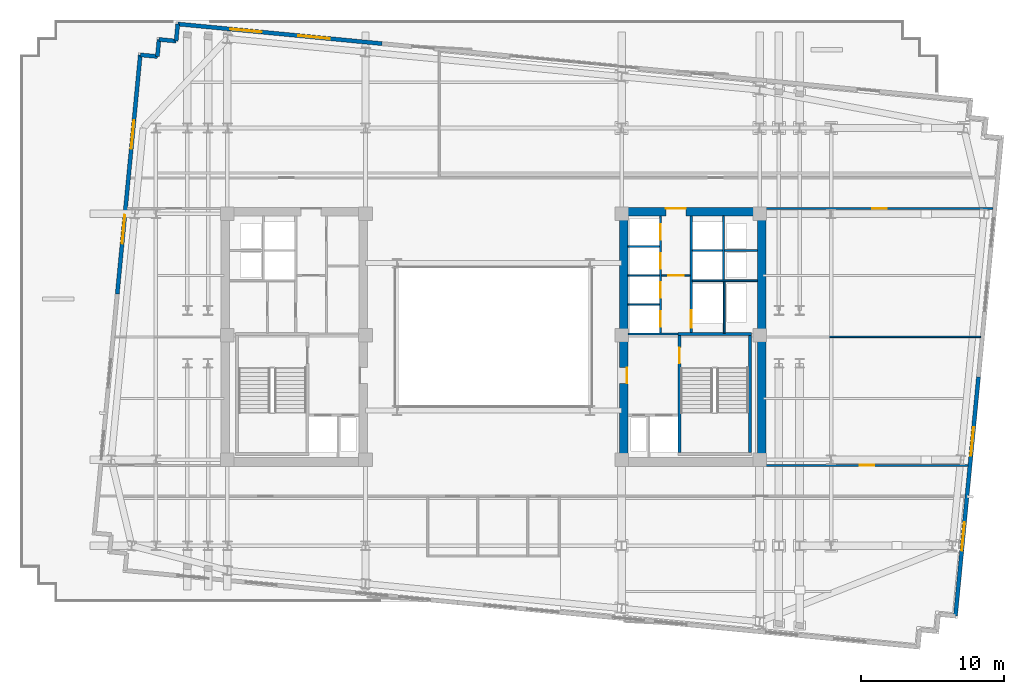
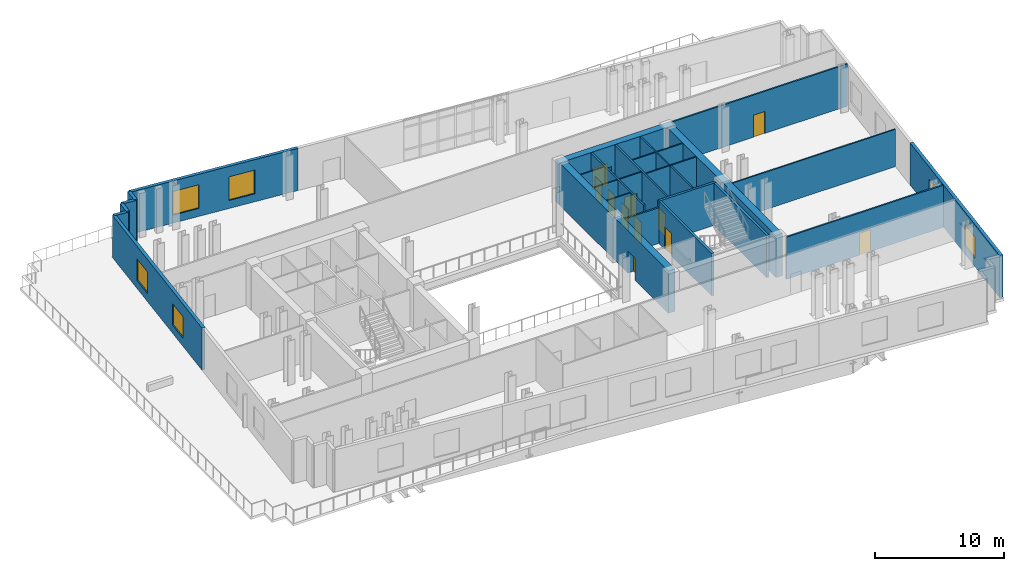
# One storey, part 7 of 11: 28 walls, 11 doors, 6 windows, 17 openings.
"""IFC4 building model written with IfcOpenShell, lengths in metres."""

from ifc_helpers import new_model, si_unit, direction, frame, frame_2d, origin, place, context, subcontext, project, spatial, rectangle, extrude, material, layer, layer_set, type_object, element, fill, save


model = new_model("IFC4")

# Units and contexts
model_context = context("Model", 3, precision=1e-05, world=origin(), true_north=direction((0.0, 1.0)))
body_context = subcontext(model_context, "Body", "Model", "MODEL_VIEW")
ifc_project = project(units=[si_unit("LENGTHUNIT", "METRE"), si_unit("AREAUNIT", "SQUARE_METRE"), si_unit("VOLUMEUNIT", "CUBIC_METRE"), si_unit("PLANEANGLEUNIT", "RADIAN"), si_unit("MASSUNIT", "GRAM", prefix="KILO")], contexts=[model_context])

# Site, building, storey
site_placement = place(None, origin())
site = spatial("IfcSite", under=ifc_project, at=site_placement, CompositionType="ELEMENT")
building_placement = place(site_placement, origin())
building = spatial("IfcBuilding", under=site, at=building_placement, Name="Velakula Bourse", CompositionType="ELEMENT")
storey_placement = place(building_placement, frame((0.0, 0.0, 156.199951171875)))
storey = spatial("IfcBuildingStorey", under=building, at=storey_placement, Name="L42", CompositionType="ELEMENT", Elevation=156.199951171875)

# Wall, opening, door
ifc_material_1 = material(Name="Concrete M50 (fck 50 MPa)", Category="concrete")
ifc_layer_1 = layer(ifc_material_1, 0.2099609375, Name="Concrete M50 (fck 50 MPa)", Category="concrete")
ifc_layer_set_1 = layer_set([ifc_layer_1], Name="Concrete M50 (fck 50 MPa)")
wall_type_1 = type_object("IfcWallType", Name="WL-CORE-210", PredefinedType="SHEAR", material=ifc_layer_set_1)
wall_1_placement = place(storey_placement, frame((12.9951171875, -8.10009765625, 0.0), z_axis=(0.0, 0.0, 1.0), x_axis=(0.0, 1.0, 0.0)))
wall_1 = element("IfcWall", 1, at=wall_1_placement, inside=storey, type_object=wall_type_1, Name="L42 Core E Stairwell Shear Wall IN", PredefinedType="SHEAR", context=body_context, shape_type="SweptSolid", body=[
    extrude(rectangle(XDim=8.2001953125, YDim=0.2099609375, at=frame_2d((4.10009765625, 0.0))), origin(), (0.0, 0.0, 1.0), 4.02001953125),
])
opening_1_placement = place(wall_1_placement, frame((6.25, 0.0, 0.0)))
opening_1 = element("IfcOpeningElement", 2, at=opening_1_placement, cuts=wall_1, Name="Opening D-STE1", PredefinedType="OPENING", context=body_context, shape_type="SweptSolid", body=[
    extrude(rectangle(XDim=1.10009765625, YDim=2.14990234375, at=frame_2d((0.550048828125, 1.074951171875))), frame((0.0, 0.114990234375, 0.0), z_axis=(0.0, -1.0, 0.0), x_axis=(1.0, 0.0, 0.0)), (0.0, 0.0, 1.0), 0.22998046875),
])
ifc_material_2 = material(Name="Galvanised painted hollow steel fire door", Category="steel")
door_type_1 = type_object("IfcDoorType", Name="DR-FD120-1100x2150", OperationType="NOTDEFINED", PredefinedType="DOOR", material=ifc_material_2)
door_1_placement = place(opening_1_placement, origin())
door_1 = element("IfcDoor", 3, at=door_1_placement, inside=storey, type_object=door_type_1, Name="L42 Stair ST-E1 Fire Door", OperationType="SINGLE_SWING_RIGHT", OverallHeight=2.14990234375, OverallWidth=1.10009765625, PredefinedType="DOOR", context=body_context, shape_type="SweptSolid", body=[
    extrude(rectangle(XDim=1.10009765625, YDim=2.14990234375, at=frame_2d((0.550048828125, 1.074951171875))), frame((0.0, 0.02490234375, 0.0), z_axis=(0.0, -1.0, 0.0), x_axis=(1.0, 0.0, 0.0)), (0.0, 0.0, 1.0), 0.050048828125),
])
fill(opening_1, door_1)

# Walls
wall_2_placement = place(storey_placement, frame((17.925048828125, -8.10009765625, 0.0), z_axis=(0.0, 0.0, 1.0), x_axis=(0.0, 1.0, 0.0)))
element("IfcWall", 4, at=wall_2_placement, inside=storey, type_object=wall_type_1, Name="L42 Core E Stairwell Shear Wall OUT", PredefinedType="SHEAR", context=body_context, shape_type="SweptSolid", body=[
    extrude(rectangle(XDim=8.2001953125, YDim=0.2099609375, at=frame_2d((4.10009765625, 0.0))), origin(), (0.0, 0.0, 1.0), 4.02001953125),
])
wall_3_placement = place(storey_placement, frame((18.030029296875, 0.205078125, 0.0), z_axis=(0.0, 0.0, 1.0), x_axis=(-1.0, 0.0, 0.0)))
element("IfcWall", 5, at=wall_3_placement, inside=storey, type_object=wall_type_1, Name="L42 Core E Stairwell Shear Wall N", PredefinedType="SHEAR", context=body_context, shape_type="SweptSolid", body=[
    extrude(rectangle(XDim=5.14013671875, YDim=0.2099609375, at=frame_2d((2.570068359375, 0.0))), origin(), (0.0, 0.0, 1.0), 4.02001953125),
])

# Wall, opening, door
ifc_material_3 = material(Name="Concrete M70 (fck 70 MPa)", Category="concrete")
ifc_layer_2 = layer(ifc_material_3, 0.60009765625, Name="Concrete M70 (fck 70 MPa)", Category="concrete")
ifc_layer_set_2 = layer_set([ifc_layer_2], Name="Concrete M70 (fck 70 MPa)")
wall_type_2 = type_object("IfcWallType", Name="WL-CORE-600", PredefinedType="SHEAR", material=ifc_layer_set_2)
wall_4_placement = place(storey_placement, frame((8.800048828125, 8.75, 0.0), z_axis=(0.0, 0.0, 1.0), x_axis=(1.0, 0.0, 0.0)))
wall_4 = element("IfcWall", 6, at=wall_4_placement, inside=storey, type_object=wall_type_2, Name="L42 Core E Shear Wall N", PredefinedType="SHEAR", context=body_context, shape_type="SweptSolid", body=[
    extrude(rectangle(XDim=10.25, YDim=0.60009765625, at=frame_2d((5.125, 0.0))), origin(), (0.0, 0.0, 1.0), 4.02001953125),
])
opening_2_placement = place(wall_4_placement, frame((3.25, 0.0, 0.0)))
opening_2 = element("IfcOpeningElement", 7, at=opening_2_placement, cuts=wall_4, Name="Opening D-LLE", PredefinedType="OPENING", context=body_context, shape_type="SweptSolid", body=[
    extrude(rectangle(XDim=1.39990234375, YDim=2.050048828125, at=frame_2d((0.699951171875, 1.02490234375))), frame((0.0, 0.31005859375, 0.0), z_axis=(0.0, -1.0, 0.0), x_axis=(1.0, 0.0, 0.0)), (0.0, 0.0, 1.0), 0.6201171875),
])
ifc_material_4 = material(Name="Fire-rated hardwood flush architectural door", Category="wood")
door_type_2 = type_object("IfcDoorType", Name="DR-DBL-FD60-1400", OperationType="DOUBLE_DOOR_SINGLE_SWING", PredefinedType="DOOR", material=ifc_material_4)
door_2_placement = place(opening_2_placement, origin())
door_2 = element("IfcDoor", 8, at=door_2_placement, inside=storey, type_object=door_type_2, Name="L42 Core E Lift Lobby Corridor Double Door", OperationType="DOUBLE_DOOR_SINGLE_SWING", OverallHeight=2.050048828125, OverallWidth=1.39990234375, PredefinedType="DOOR", context=body_context, shape_type="SweptSolid", body=[
    extrude(rectangle(XDim=1.39990234375, YDim=2.050048828125, at=frame_2d((0.699951171875, 1.02490234375))), frame((0.0, 0.2451171875, 0.0), z_axis=(0.0, -1.0, 0.0), x_axis=(1.0, 0.0, 0.0)), (0.0, 0.0, 1.0), 0.050048828125),
])
fill(opening_2, door_2)

wall_5_placement = place(storey_placement, frame((9.10009765625, -8.449951171875, 0.0), z_axis=(0.0, 0.0, 1.0), x_axis=(0.0, 1.0, 0.0)))
wall_5 = element("IfcWall", 9, at=wall_5_placement, inside=storey, type_object=wall_type_2, Name="L42 Core E Shear Wall W", PredefinedType="SHEAR", context=body_context, shape_type="SweptSolid", body=[
    extrude(rectangle(XDim=16.89990234375, YDim=0.60009765625, at=frame_2d((8.449951171875, 0.0))), origin(), (0.0, 0.0, 1.0), 4.02001953125),
])
opening_3_placement = place(wall_5_placement, frame((5.199951171875, 0.0, 0.0)))
opening_3 = element("IfcOpeningElement", 10, at=opening_3_placement, cuts=wall_5, Name="Opening D-FLE", PredefinedType="OPENING", context=body_context, shape_type="SweptSolid", body=[
    extrude(rectangle(XDim=1.10009765625, YDim=2.080078125, at=frame_2d((0.550048828125, 1.0400390625))), frame((0.0, 0.31005859375, 0.0), z_axis=(0.0, -1.0, 0.0), x_axis=(1.0, 0.0, 0.0)), (0.0, 0.0, 1.0), 0.6201171875),
])
door_type_3 = type_object("IfcDoorType", Name="DR-FD120-1100", OperationType="NOTDEFINED", PredefinedType="DOOR", material=ifc_material_2)
door_3_placement = place(opening_3_placement, origin())
door_3 = element("IfcDoor", 11, at=door_3_placement, inside=storey, type_object=door_type_3, Name="L42 Firefighting Lobby E Corridor Fire Door", OperationType="SINGLE_SWING_RIGHT", OverallHeight=2.080078125, OverallWidth=1.10009765625, PredefinedType="DOOR", context=body_context, shape_type="SweptSolid", body=[
    extrude(rectangle(XDim=1.10009765625, YDim=2.080078125, at=frame_2d((0.550048828125, 1.0400390625))), frame((0.0, -0.205078125, 0.0), z_axis=(0.0, -1.0, 0.0), x_axis=(1.0, 0.0, 0.0)), (0.0, 0.0, 1.0), 0.050048828125),
])
fill(opening_3, door_3)

# Wall
wall_6_placement = place(storey_placement, frame((18.75, -8.449951171875, 0.0), z_axis=(0.0, 0.0, 1.0), x_axis=(0.0, 1.0, 0.0)))
element("IfcWall", 12, at=wall_6_placement, inside=storey, type_object=wall_type_2, Name="L42 Core E Shear Wall E", PredefinedType="SHEAR", context=body_context, shape_type="SweptSolid", body=[
    extrude(rectangle(XDim=16.89990234375, YDim=0.60009765625, at=frame_2d((8.449951171875, 0.0))), origin(), (0.0, 0.0, 1.0), 4.02001953125),
])

# Wall, openings, windows
ifc_material_5 = material(Name="Red kilned clay facing brick masonry", Category="masonry")
ifc_layer_3 = layer(ifc_material_5, 0.280029296875, Name="Red kilned clay facing brick masonry", Category="masonry")
ifc_layer_set_3 = layer_set([ifc_layer_3], Name="Red kilned clay facing brick masonry")
wall_type_3 = type_object("IfcWallType", Name="WL-EXT-BRK-280", PredefinedType="STANDARD", material=ifc_layer_set_3)
wall_7_placement = place(storey_placement, frame((-22.072509765625, 21.8701171875, 0.0), z_axis=(0.0, 0.0, 1.0), x_axis=(0.995395606285, -0.095851901334, 0.0)))
wall_7 = element("IfcWall", 13, at=wall_7_placement, inside=storey, type_object=wall_type_3, Name="L42 N Brick Spandrel Wall B1", PredefinedType="STANDARD", context=body_context, shape_type="SweptSolid", body=[
    extrude(rectangle(XDim=14.33984375, YDim=0.280029296875, at=frame_2d((7.169921875, 0.0))), origin(), (0.0, 0.0, 1.0), 4.0),
])
opening_4_placement = place(wall_7_placement, frame((3.679931640625, 0.0, 0.760009765625)))
opening_4 = element("IfcOpeningElement", 14, at=opening_4_placement, cuts=wall_7, Name="Opening W-08", PredefinedType="OPENING", context=body_context, shape_type="SweptSolid", body=[
    extrude(rectangle(XDim=2.199951171875, YDim=2.25, at=frame_2d((1.10009765625, 1.125))), frame((0.0, 0.14990234375, 0.0), z_axis=(0.0, -1.0, 0.0), x_axis=(1.0, 0.0, 0.0)), (0.0, 0.0, 1.0), 0.300048828125),
])
opening_5_placement = place(wall_7_placement, frame((8.4599609375, 0.0, 0.760009765625)))
opening_5 = element("IfcOpeningElement", 15, at=opening_5_placement, cuts=wall_7, Name="Opening W-08", PredefinedType="OPENING", context=body_context, shape_type="SweptSolid", body=[
    extrude(rectangle(XDim=2.199951171875, YDim=2.25, at=frame_2d((1.10009765625, 1.125))), frame((0.0, 0.14990234375, 0.0), z_axis=(0.0, -1.0, 0.0), x_axis=(1.0, 0.0, 0.0)), (0.0, 0.0, 1.0), 0.300048828125),
])
ifc_material_6 = material(Name="Double-glazed solar-control Low-E glass", Category="glass")
window_type_1 = type_object("IfcWindowType", Name="WIN-SL-2200x2500", PartitioningType="DOUBLE_PANEL_VERTICAL", PredefinedType="WINDOW", material=ifc_material_6)
window_1_placement = place(opening_4_placement, origin())
window_1 = element("IfcWindow", 16, at=window_1_placement, inside=storey, type_object=window_type_1, Name="L42 Deep-Set Recessed Window 1", OverallHeight=2.25, OverallWidth=2.199951171875, PartitioningType="DOUBLE_PANEL_VERTICAL", PredefinedType="WINDOW", context=body_context, shape_type="SweptSolid", body=[
    extrude(rectangle(XDim=2.199951171875, YDim=2.25, at=frame_2d((1.10009765625, 1.125))), frame((0.0, 0.030029296875, 0.0), z_axis=(0.0, -1.0, 0.0), x_axis=(1.0, 0.0, 0.0)), (0.0, 0.0, 1.0), 0.06005859375),
])
fill(opening_4, window_1)
window_2_placement = place(opening_5_placement, origin())
window_2 = element("IfcWindow", 17, at=window_2_placement, inside=storey, type_object=window_type_1, Name="L42 Deep-Set Recessed Window 2", OverallHeight=2.25, OverallWidth=2.199951171875, PartitioningType="DOUBLE_PANEL_VERTICAL", PredefinedType="WINDOW", context=body_context, shape_type="SweptSolid", body=[
    extrude(rectangle(XDim=2.199951171875, YDim=2.25, at=frame_2d((1.10009765625, 1.125))), frame((0.0, 0.030029296875, 0.0), z_axis=(0.0, -1.0, 0.0), x_axis=(1.0, 0.0, 0.0)), (0.0, 0.0, 1.0), 0.06005859375),
])
fill(opening_5, window_2)

wall_8_placement = place(storey_placement, frame((-26.30078125, 2.998291015625, 0.0), z_axis=(0.0, 0.0, 1.0), x_axis=(0.095837640115, 0.99539697947, 0.0)))
wall_8 = element("IfcWall", 18, at=wall_8_placement, inside=storey, type_object=wall_type_3, Name="L42 W Brick End Wall W2", PredefinedType="STANDARD", context=body_context, shape_type="SweptSolid", body=[
    extrude(rectangle(XDim=16.790283203125, YDim=0.280029296875, at=frame_2d((8.39501953125, 0.0))), origin(), (0.0, 0.0, 1.0), 4.0),
])
opening_6_placement = place(wall_8_placement, frame((3.546630859375, 0.0, 0.760009765625)))
opening_6 = element("IfcOpeningElement", 19, at=opening_6_placement, cuts=wall_8, Name="Opening W-05", PredefinedType="OPENING", context=body_context, shape_type="SweptSolid", body=[
    extrude(rectangle(XDim=2.0, YDim=2.050048828125, at=frame_2d((1.0, 1.02490234375))), frame((0.0, 0.14990234375, 0.0), z_axis=(0.0, -1.0, 0.0), x_axis=(1.0, 0.0, 0.0)), (0.0, 0.0, 1.0), 0.300048828125),
])
opening_7_placement = place(wall_8_placement, frame((10.193359375, 0.0, 0.760009765625)))
opening_7 = element("IfcOpeningElement", 20, at=opening_7_placement, cuts=wall_8, Name="Opening W-05", PredefinedType="OPENING", context=body_context, shape_type="SweptSolid", body=[
    extrude(rectangle(XDim=2.0, YDim=2.050048828125, at=frame_2d((1.0, 1.02490234375))), frame((0.0, 0.14990234375, 0.0), z_axis=(0.0, -1.0, 0.0), x_axis=(1.0, 0.0, 0.0)), (0.0, 0.0, 1.0), 0.300048828125),
])
window_type_2 = type_object("IfcWindowType", Name="WIN-TWR-2000x2200", PartitioningType="DOUBLE_PANEL_VERTICAL", PredefinedType="WINDOW", material=ifc_material_6)
window_3_placement = place(opening_6_placement, origin())
window_3 = element("IfcWindow", 21, at=window_3_placement, inside=storey, type_object=window_type_2, Name="L42 Deep-Set Recessed Window 1", OverallHeight=2.050048828125, OverallWidth=2.0, PartitioningType="DOUBLE_PANEL_VERTICAL", PredefinedType="WINDOW", context=body_context, shape_type="SweptSolid", body=[
    extrude(rectangle(XDim=2.0, YDim=2.050048828125, at=frame_2d((1.0, 1.02490234375))), frame((0.0, 0.030029296875, 0.0), z_axis=(0.0, -1.0, 0.0), x_axis=(1.0, 0.0, 0.0)), (0.0, 0.0, 1.0), 0.06005859375),
])
fill(opening_6, window_3)
window_4_placement = place(opening_7_placement, origin())
window_4 = element("IfcWindow", 22, at=window_4_placement, inside=storey, type_object=window_type_2, Name="L42 Deep-Set Recessed Window 2", OverallHeight=2.050048828125, OverallWidth=2.0, PartitioningType="DOUBLE_PANEL_VERTICAL", PredefinedType="WINDOW", context=body_context, shape_type="SweptSolid", body=[
    extrude(rectangle(XDim=2.0, YDim=2.050048828125, at=frame_2d((1.0, 1.02490234375))), frame((0.0, 0.030029296875, 0.0), z_axis=(0.0, -1.0, 0.0), x_axis=(1.0, 0.0, 0.0)), (0.0, 0.0, 1.0), 0.06005859375),
])
fill(opening_7, window_4)

wall_9_placement = place(storey_placement, frame((33.90087890625, -2.79833984375, 0.0), z_axis=(0.0, 0.0, 1.0), x_axis=(-0.095853434568, -0.99539545864, 0.0)))
wall_9 = element("IfcWall", 23, at=wall_9_placement, inside=storey, type_object=wall_type_3, Name="L42 E Brick End Wall W1", PredefinedType="STANDARD", context=body_context, shape_type="SweptSolid", body=[
    extrude(rectangle(XDim=16.7900390625, YDim=0.280029296875, at=frame_2d((8.39501953125, 0.0))), origin(), (0.0, 0.0, 1.0), 4.0),
])
opening_8_placement = place(wall_9_placement, frame((3.546630859375, 0.0, 0.760009765625)))
opening_8 = element("IfcOpeningElement", 24, at=opening_8_placement, cuts=wall_9, Name="Opening W-05", PredefinedType="OPENING", context=body_context, shape_type="SweptSolid", body=[
    extrude(rectangle(XDim=2.0, YDim=2.050048828125, at=frame_2d((1.0, 1.02490234375))), frame((0.0, 0.14990234375, 0.0), z_axis=(0.0, -1.0, 0.0), x_axis=(1.0, 0.0, 0.0)), (0.0, 0.0, 1.0), 0.300048828125),
])
opening_9_placement = place(wall_9_placement, frame((10.193359375, 0.0, 0.760009765625)))
opening_9 = element("IfcOpeningElement", 25, at=opening_9_placement, cuts=wall_9, Name="Opening W-05", PredefinedType="OPENING", context=body_context, shape_type="SweptSolid", body=[
    extrude(rectangle(XDim=2.0, YDim=2.050048828125, at=frame_2d((1.0, 1.02490234375))), frame((0.0, 0.14990234375, 0.0), z_axis=(0.0, -1.0, 0.0), x_axis=(1.0, 0.0, 0.0)), (0.0, 0.0, 1.0), 0.300048828125),
])
window_5_placement = place(opening_8_placement, origin())
window_5 = element("IfcWindow", 26, at=window_5_placement, inside=storey, type_object=window_type_2, Name="L42 Deep-Set Recessed Window 1", OverallHeight=2.050048828125, OverallWidth=2.0, PartitioningType="DOUBLE_PANEL_VERTICAL", PredefinedType="WINDOW", context=body_context, shape_type="SweptSolid", body=[
    extrude(rectangle(XDim=2.0, YDim=2.050048828125, at=frame_2d((1.0, 1.02490234375))), frame((0.0, 0.030029296875, 0.0), z_axis=(0.0, -1.0, 0.0), x_axis=(1.0, 0.0, 0.0)), (0.0, 0.0, 1.0), 0.06005859375),
])
fill(opening_8, window_5)
window_6_placement = place(opening_9_placement, origin())
window_6 = element("IfcWindow", 27, at=window_6_placement, inside=storey, type_object=window_type_2, Name="L42 Deep-Set Recessed Window 2", OverallHeight=2.050048828125, OverallWidth=2.0, PartitioningType="DOUBLE_PANEL_VERTICAL", PredefinedType="WINDOW", context=body_context, shape_type="SweptSolid", body=[
    extrude(rectangle(XDim=2.0, YDim=2.050048828125, at=frame_2d((1.0, 1.02490234375))), frame((0.0, 0.030029296875, 0.0), z_axis=(0.0, -1.0, 0.0), x_axis=(1.0, 0.0, 0.0)), (0.0, 0.0, 1.0), 0.06005859375),
])
fill(opening_9, window_6)

# Walls
for number, where, z_axis, x_axis, name in (
    (28, (-22.072509765625, 21.8701171875, 0.0), (0.0, 0.0, 1.0), (-0.095817067274, -0.995398960025, 0.0), "L42 Serrated Corner Brick Wall NW-1"),
    (29, (-22.1875, 20.675537109375, 0.0), (0.0, 0.0, 1.0), (-0.995398960025, 0.095817067274, 0.0), "L42 Serrated Corner Brick Wall NW-2"),
    (30, (-23.382080078125, 20.79052734375, 0.0), (0.0, 0.0, 1.0), (-0.095817067274, -0.995398960025, 0.0), "L42 Serrated Corner Brick Wall NW-3"),
    (31, (-23.4970703125, 19.595947265625, 0.0), (0.0, 0.0, 1.0), (-0.995379537303, 0.096018626938, 0.0), "L42 Serrated Corner Brick Wall NW-4"),
):
    element("IfcWall", number, at=place(storey_placement, frame(where, z_axis=z_axis, x_axis=x_axis)), inside=storey, type_object=wall_type_3, Name=name, PredefinedType="STANDARD", context=body_context, shape_type="SweptSolid", body=[
        extrude(rectangle(XDim=1.2001953125, YDim=0.280029296875, at=frame_2d((0.60009765625, 0.0))), origin(), (0.0, 0.0, 1.0), 4.0),
    ])

# Wall, opening, door
ifc_material_7 = material(Name="Fire-rated double-layer gypsum drywall partition", Category="gypsum")
ifc_layer_4 = layer(ifc_material_7, 0.1201171875, Name="Fire-rated double-layer gypsum drywall partition", Category="gypsum")
ifc_layer_set_4 = layer_set([ifc_layer_4], Name="Fire-rated double-layer gypsum drywall partition")
wall_type_4 = type_object("IfcWallType", Name="WL-PART-120", PredefinedType="STANDARD", material=ifc_layer_set_4)
wall_10_placement = place(storey_placement, frame((11.75, 4.280029296875, 0.0), z_axis=(0.0, 0.0, 1.0), x_axis=(1.0, 0.0, 0.0)))
wall_10 = element("IfcWall", 32, at=wall_10_placement, inside=storey, type_object=wall_type_4, Name="L42 Interior Partition WL-CRE-L42-LL-K2", PredefinedType="STANDARD", context=body_context, shape_type="SweptSolid", body=[
    extrude(rectangle(XDim=2.0, YDim=0.1201171875, at=frame_2d((1.0, 0.0))), origin(), (0.0, 0.0, 1.0), 4.0),
])
opening_10_placement = place(wall_10_placement, frame((0.449951171875, 0.0, 0.0)))
opening_10 = element("IfcOpeningElement", 33, at=opening_10_placement, cuts=wall_10, Name="Opening D-LK2", PredefinedType="OPENING", context=body_context, shape_type="SweptSolid", body=[
    extrude(rectangle(XDim=1.10009765625, YDim=2.10009765625, at=frame_2d((0.550048828125, 1.050048828125))), frame((0.0, 0.070068359375, 0.0), z_axis=(0.0, -1.0, 0.0), x_axis=(1.0, 0.0, 0.0)), (0.0, 0.0, 1.0), 0.14013671875),
])
door_type_4 = type_object("IfcDoorType", Name="DR-FD60-1100x2100", OperationType="NOTDEFINED", PredefinedType="DOOR", material=ifc_material_4)
door_4_placement = place(opening_10_placement, origin())
door_4 = element("IfcDoor", 34, at=door_4_placement, inside=storey, type_object=door_type_4, Name="L42 Core E Lift Lobby Zone Door", OperationType="SINGLE_SWING_LEFT", OverallHeight=2.10009765625, OverallWidth=1.10009765625, PredefinedType="DOOR", context=body_context, shape_type="SweptSolid", body=[
    extrude(rectangle(XDim=1.10009765625, YDim=2.10009765625, at=frame_2d((0.550048828125, 1.050048828125))), frame((0.0, 0.02490234375, 0.0), z_axis=(0.0, -1.0, 0.0), x_axis=(1.0, 0.0, 0.0)), (0.0, 0.0, 1.0), 0.050048828125),
])
fill(opening_10, door_4)

# Walls
for number, where, z_axis, x_axis, name in (
    (35, (9.39990234375, 2.2548828125, 0.0), (0.0, 0.0, 1.0), (1.0, 0.0, 0.0), "L42 Interior Partition WL-CRE-L42-BDIV-0"),
    (36, (9.39990234375, 4.284912109375, 0.0), (0.0, 0.0, 1.0), (1.0, 0.0, 0.0), "L42 Interior Partition WL-CRE-L42-BDIV-1"),
    (37, (9.39990234375, 6.31494140625, 0.0), (0.0, 0.0, 1.0), (1.0, 0.0, 0.0), "L42 Interior Partition WL-CRE-L42-BDIV-2"),
):
    element("IfcWall", number, at=place(storey_placement, frame(where, z_axis=z_axis, x_axis=x_axis)), inside=storey, type_object=wall_type_4, Name=name, PredefinedType="STANDARD", context=body_context, shape_type="SweptSolid", body=[
        extrude(rectangle(XDim=2.2001953125, YDim=0.110107421875, at=frame_2d((1.10009765625, 0.0))), origin(), (0.0, 0.0, 1.0), 4.0),
    ])
wall_11_placement = place(storey_placement, frame((13.89990234375, 3.919921875, 0.0), z_axis=(0.0, 0.0, 1.0), x_axis=(1.0, 0.0, 0.0)))
element("IfcWall", 38, at=wall_11_placement, inside=storey, type_object=wall_type_4, Name="L42 Interior Partition WL-CRE-L42-HI-S", PredefinedType="STANDARD", context=body_context, shape_type="SweptSolid", body=[
    extrude(rectangle(XDim=4.550048828125, YDim=0.1201171875, at=frame_2d((2.27490234375, 0.0))), origin(), (0.0, 0.0, 1.0), 4.0),
])
wall_12_placement = place(storey_placement, frame((16.14990234375, 6.030029296875, 0.0), z_axis=(0.0, 0.0, 1.0), x_axis=(1.0, 0.0, 0.0)))
element("IfcWall", 39, at=wall_12_placement, inside=storey, type_object=wall_type_4, Name="L42 Interior Partition WL-CRE-L42-RIS-MID", PredefinedType="STANDARD", context=body_context, shape_type="SweptSolid", body=[
    extrude(rectangle(XDim=2.300048828125, YDim=0.1201171875, at=frame_2d((1.14990234375, 0.0))), origin(), (0.0, 0.0, 1.0), 4.0),
])
wall_13_placement = place(storey_placement, frame((16.074951171875, 3.97998046875, 0.0), z_axis=(0.0, 0.0, 1.0), x_axis=(0.0, 1.0, 0.0)))
element("IfcWall", 40, at=wall_13_placement, inside=storey, type_object=wall_type_4, Name="L42 Interior Partition WL-CRE-L42-RIS-F", PredefinedType="STANDARD", context=body_context, shape_type="SweptSolid", body=[
    extrude(rectangle(XDim=4.469970703125, YDim=0.1201171875, at=frame_2d((2.23486328125, 0.0))), origin(), (0.0, 0.0, 1.0), 4.0),
])
wall_14_placement = place(storey_placement, frame((13.89990234375, 6.030029296875, 0.0), z_axis=(0.0, 0.0, 1.0), x_axis=(1.0, 0.0, 0.0)))
element("IfcWall", 41, at=wall_14_placement, inside=storey, type_object=wall_type_4, Name="L42 Interior Partition WL-CRE-L42-HI-DIV", PredefinedType="STANDARD", context=body_context, shape_type="SweptSolid", body=[
    extrude(rectangle(XDim=2.10009765625, YDim=0.1201171875, at=frame_2d((1.050048828125, 0.0))), origin(), (0.0, 0.0, 1.0), 4.0),
])
wall_15_placement = place(storey_placement, frame((16.125, 0.27001953125, 0.0), z_axis=(0.0, 0.0, 1.0), x_axis=(0.0, 1.0, 0.0)))
element("IfcWall", 42, at=wall_15_placement, inside=storey, type_object=wall_type_4, Name="L42 Interior Partition WL-CRE-L42-SVL-E", PredefinedType="STANDARD", context=body_context, shape_type="SweptSolid", body=[
    extrude(rectangle(XDim=3.590087890625, YDim=0.1201171875, at=frame_2d((1.794921875, 0.0))), origin(), (0.0, 0.0, 1.0), 4.0),
])
wall_16_placement = place(storey_placement, frame((19.050048828125, 0.0, 0.0), z_axis=(0.0, 0.0, 1.0), x_axis=(1.0, 0.0, 0.0)))
element("IfcWall", 43, at=wall_16_placement, inside=storey, type_object=wall_type_4, Name="L42 Interior Partition WL-INT-L42-E-H", PredefinedType="STANDARD", context=body_context, shape_type="SweptSolid", body=[
    extrude(rectangle(XDim=14.999755859375, YDim=0.1201171875, at=frame_2d((7.5, 0.0))), origin(), (0.0, 0.0, 1.0), 3.545166015625),
])

# Wall, opening, door
ifc_layer_5 = layer(ifc_material_7, 0.139892578125, Name="Fire-rated double-layer gypsum drywall partition", Category="gypsum")
ifc_layer_set_5 = layer_set([ifc_layer_5], Name="Fire-rated double-layer gypsum drywall partition")
wall_type_5 = type_object("IfcWallType", Name="WL-PART-140", PredefinedType="STANDARD", material=ifc_layer_set_5)
wall_17_placement = place(storey_placement, frame((19.050048828125, 8.97998046875, 0.0), z_axis=(0.0, 0.0, 1.0), x_axis=(1.0, 0.0, 0.0)))
wall_17 = element("IfcWall", 44, at=wall_17_placement, inside=storey, type_object=wall_type_5, Name="L42 Interior Partition WL-INT-L42-E-NC", PredefinedType="STANDARD", context=body_context, shape_type="SweptSolid", body=[
    extrude(rectangle(XDim=15.8642578125, YDim=0.139892578125, at=frame_2d((7.93212890625, 0.0))), origin(), (0.0, 0.0, 1.0), 4.0),
])
opening_11_placement = place(wall_17_placement, frame((7.43212890625, 0.0, 0.0)))
opening_11 = element("IfcOpeningElement", 45, at=opening_11_placement, cuts=wall_17, Name="Opening D-OF1", PredefinedType="OPENING", context=body_context, shape_type="SweptSolid", body=[
    extrude(rectangle(XDim=1.0, YDim=2.080078125, at=frame_2d((0.5, 1.0400390625))), frame((0.0, 0.079833984375, 0.0), z_axis=(0.0, -1.0, 0.0), x_axis=(1.0, 0.0, 0.0)), (0.0, 0.0, 1.0), 0.159912109375),
])
door_type_5 = type_object("IfcDoorType", Name="DR-OFF-1000", OperationType="NOTDEFINED", PredefinedType="DOOR", material=ifc_material_4)
door_5_placement = place(opening_11_placement, origin())
door_5 = element("IfcDoor", 46, at=door_5_placement, inside=storey, type_object=door_type_5, Name="L42 Company Secretary Office Door", OperationType="SINGLE_SWING_RIGHT", OverallHeight=2.080078125, OverallWidth=1.0, PredefinedType="DOOR", context=body_context, shape_type="SweptSolid", body=[
    extrude(rectangle(XDim=1.0, YDim=2.080078125, at=frame_2d((0.5, 1.0400390625))), frame((0.0, 0.02490234375, 0.0), z_axis=(0.0, -1.0, 0.0), x_axis=(1.0, 0.0, 0.0)), (0.0, 0.0, 1.0), 0.050048828125),
])
fill(opening_11, door_5)

wall_18_placement = place(storey_placement, frame((19.050048828125, -8.97998046875, 0.0), z_axis=(0.0, 0.0, 1.0), x_axis=(1.0, 0.0, 0.0)))
wall_18 = element("IfcWall", 47, at=wall_18_placement, inside=storey, type_object=wall_type_5, Name="L42 Interior Partition WL-INT-L42-E-SC", PredefinedType="STANDARD", context=body_context, shape_type="SweptSolid", body=[
    extrude(rectangle(XDim=14.135009765625, YDim=0.139892578125, at=frame_2d((7.0673828125, 0.0))), origin(), (0.0, 0.0, 1.0), 4.0),
])
opening_12_placement = place(wall_18_placement, frame((6.5673828125, 0.0, 0.0)))
opening_12 = element("IfcOpeningElement", 48, at=opening_12_placement, cuts=wall_18, Name="Opening D-OF1", PredefinedType="OPENING", context=body_context, shape_type="SweptSolid", body=[
    extrude(rectangle(XDim=1.0, YDim=2.080078125, at=frame_2d((0.5, 1.0400390625))), frame((0.0, 0.079833984375, 0.0), z_axis=(0.0, -1.0, 0.0), x_axis=(1.0, 0.0, 0.0)), (0.0, 0.0, 1.0), 0.159912109375),
])
door_6_placement = place(opening_12_placement, origin())
door_6 = element("IfcDoor", 49, at=door_6_placement, inside=storey, type_object=door_type_5, Name="L42 Equity Options Trading Workspace Door", OperationType="SINGLE_SWING_LEFT", OverallHeight=2.080078125, OverallWidth=1.0, PredefinedType="DOOR", context=body_context, shape_type="SweptSolid", body=[
    extrude(rectangle(XDim=1.0, YDim=2.080078125, at=frame_2d((0.5, 1.0400390625))), frame((0.0, 0.02490234375, 0.0), z_axis=(0.0, -1.0, 0.0), x_axis=(1.0, 0.0, 0.0)), (0.0, 0.0, 1.0), 0.050048828125),
])
fill(opening_12, door_6)

# Wall
ifc_material_8 = material(Name="Autoclaved aerated concrete blockwork masonry", Category="masonry")
ifc_layer_6 = layer(ifc_material_8, 0.14990234375, Name="Autoclaved aerated concrete blockwork masonry", Category="masonry")
ifc_layer_set_6 = layer_set([ifc_layer_6], Name="Autoclaved aerated concrete blockwork masonry")
wall_type_6 = type_object("IfcWallType", Name="WL-SHAFT-150", PredefinedType="STANDARD", material=ifc_layer_set_6)
wall_19_placement = place(storey_placement, frame((9.39990234375, 0.18994140625, 0.0), z_axis=(0.0, 0.0, 1.0), x_axis=(1.0, 0.0, 0.0)))
element("IfcWall", 50, at=wall_19_placement, inside=storey, type_object=wall_type_6, Name="L42 Interior Partition WL-CRE-L42-FF-TOP", PredefinedType="STANDARD", context=body_context, shape_type="SweptSolid", body=[
    extrude(rectangle(XDim=3.489990234375, YDim=0.14990234375, at=frame_2d((1.7451171875, 0.0))), origin(), (0.0, 0.0, 1.0), 3.39501953125),
])

# Wall, openings, doors
wall_20_placement = place(storey_placement, frame((11.675048828125, 0.27001953125, 0.0), z_axis=(0.0, 0.0, 1.0), x_axis=(0.0, 1.0, 0.0)))
wall_20 = element("IfcWall", 51, at=wall_20_placement, inside=storey, type_object=wall_type_6, Name="L42 Interior Partition WL-CRE-L42-BANK-F", PredefinedType="STANDARD", context=body_context, shape_type="SweptSolid", body=[
    extrude(rectangle(XDim=8.179931640625, YDim=0.14990234375, at=frame_2d((4.08984375, 0.0))), origin(), (0.0, 0.0, 1.0), 4.0),
])
opening_13_placement = place(wall_20_placement, frame((0.419921875, 0.0, 0.0)))
opening_13 = element("IfcOpeningElement", 52, at=opening_13_placement, cuts=wall_20, Name="Opening LD-P5", PredefinedType="OPENING", context=body_context, shape_type="SweptSolid", body=[
    extrude(rectangle(XDim=1.10009765625, YDim=2.10009765625, at=frame_2d((0.550048828125, 1.050048828125))), frame((0.0, 0.0849609375, 0.0), z_axis=(0.0, -1.0, 0.0), x_axis=(1.0, 0.0, 0.0)), (0.0, 0.0, 1.0), 0.169921875),
])
opening_14_placement = place(wall_20_placement, frame((2.449951171875, 0.0, 0.0)))
opening_14 = element("IfcOpeningElement", 53, at=opening_14_placement, cuts=wall_20, Name="Opening LD-P6", PredefinedType="OPENING", context=body_context, shape_type="SweptSolid", body=[
    extrude(rectangle(XDim=1.10009765625, YDim=2.10009765625, at=frame_2d((0.550048828125, 1.050048828125))), frame((0.0, 0.0849609375, 0.0), z_axis=(0.0, -1.0, 0.0), x_axis=(1.0, 0.0, 0.0)), (0.0, 0.0, 1.0), 0.169921875),
])
opening_15_placement = place(wall_20_placement, frame((4.47998046875, 0.0, 0.0)))
opening_15 = element("IfcOpeningElement", 54, at=opening_15_placement, cuts=wall_20, Name="Opening LD-P7", PredefinedType="OPENING", context=body_context, shape_type="SweptSolid", body=[
    extrude(rectangle(XDim=1.10009765625, YDim=2.10009765625, at=frame_2d((0.550048828125, 1.050048828125))), frame((0.0, 0.0849609375, 0.0), z_axis=(0.0, -1.0, 0.0), x_axis=(1.0, 0.0, 0.0)), (0.0, 0.0, 1.0), 0.169921875),
])
opening_16_placement = place(wall_20_placement, frame((6.510009765625, 0.0, 0.0)))
opening_16 = element("IfcOpeningElement", 55, at=opening_16_placement, cuts=wall_20, Name="Opening LD-P8", PredefinedType="OPENING", context=body_context, shape_type="SweptSolid", body=[
    extrude(rectangle(XDim=1.10009765625, YDim=2.10009765625, at=frame_2d((0.550048828125, 1.050048828125))), frame((0.0, 0.0849609375, 0.0), z_axis=(0.0, -1.0, 0.0), x_axis=(1.0, 0.0, 0.0)), (0.0, 0.0, 1.0), 0.169921875),
])
ifc_material_9 = material(Name="Brushed grade 316 stainless steel", Category="steel")
door_type_6 = type_object("IfcDoorType", Name="DR-SLIDE-LD-1100", OperationType="DOUBLE_DOOR_SLIDING", PredefinedType="DOOR", material=ifc_material_9)
door_7_placement = place(opening_13_placement, origin())
door_7 = element("IfcDoor", 56, at=door_7_placement, inside=storey, type_object=door_type_6, Name="L42 Passenger Lift P5 Sliding Landing Door", OperationType="DOUBLE_DOOR_SLIDING", OverallHeight=2.10009765625, OverallWidth=1.10009765625, PredefinedType="DOOR", context=body_context, shape_type="SweptSolid", body=[
    extrude(rectangle(XDim=1.10009765625, YDim=2.10009765625, at=frame_2d((0.550048828125, 1.050048828125))), frame((0.0, 0.02490234375, 0.0), z_axis=(0.0, -1.0, 0.0), x_axis=(1.0, 0.0, 0.0)), (0.0, 0.0, 1.0), 0.050048828125),
])
fill(opening_13, door_7)
door_8_placement = place(opening_14_placement, origin())
door_8 = element("IfcDoor", 57, at=door_8_placement, inside=storey, type_object=door_type_6, Name="L42 Passenger Lift P6 Sliding Landing Door", OperationType="DOUBLE_DOOR_SLIDING", OverallHeight=2.10009765625, OverallWidth=1.10009765625, PredefinedType="DOOR", context=body_context, shape_type="SweptSolid", body=[
    extrude(rectangle(XDim=1.10009765625, YDim=2.10009765625, at=frame_2d((0.550048828125, 1.050048828125))), frame((0.0, 0.02490234375, 0.0), z_axis=(0.0, -1.0, 0.0), x_axis=(1.0, 0.0, 0.0)), (0.0, 0.0, 1.0), 0.050048828125),
])
fill(opening_14, door_8)
door_9_placement = place(opening_15_placement, origin())
door_9 = element("IfcDoor", 58, at=door_9_placement, inside=storey, type_object=door_type_6, Name="L42 Passenger Lift P7 Sliding Landing Door", OperationType="DOUBLE_DOOR_SLIDING", OverallHeight=2.10009765625, OverallWidth=1.10009765625, PredefinedType="DOOR", context=body_context, shape_type="SweptSolid", body=[
    extrude(rectangle(XDim=1.10009765625, YDim=2.10009765625, at=frame_2d((0.550048828125, 1.050048828125))), frame((0.0, 0.02490234375, 0.0), z_axis=(0.0, -1.0, 0.0), x_axis=(1.0, 0.0, 0.0)), (0.0, 0.0, 1.0), 0.050048828125),
])
fill(opening_15, door_9)
door_10_placement = place(opening_16_placement, origin())
door_10 = element("IfcDoor", 59, at=door_10_placement, inside=storey, type_object=door_type_6, Name="L42 Passenger Lift P8 Sliding Landing Door", OperationType="DOUBLE_DOOR_SLIDING", OverallHeight=2.10009765625, OverallWidth=1.10009765625, PredefinedType="DOOR", context=body_context, shape_type="SweptSolid", body=[
    extrude(rectangle(XDim=1.10009765625, YDim=2.10009765625, at=frame_2d((0.550048828125, 1.050048828125))), frame((0.0, 0.02490234375, 0.0), z_axis=(0.0, -1.0, 0.0), x_axis=(1.0, 0.0, 0.0)), (0.0, 0.0, 1.0), 0.050048828125),
])
fill(opening_16, door_10)

# Wall, opening, door
wall_21_placement = place(storey_placement, frame((13.824951171875, 0.27001953125, 0.0), z_axis=(0.0, 0.0, 1.0), x_axis=(0.0, 1.0, 0.0)))
wall_21 = element("IfcWall", 60, at=wall_21_placement, inside=storey, type_object=wall_type_6, Name="L42 Interior Partition WL-CRE-L42-OUT-F", PredefinedType="STANDARD", context=body_context, shape_type="SweptSolid", body=[
    extrude(rectangle(XDim=8.179931640625, YDim=0.14990234375, at=frame_2d((4.08984375, 0.0))), origin(), (0.0, 0.0, 1.0), 4.0),
])
opening_17_placement = place(wall_21_placement, frame((0.3798828125, 0.0, 0.0)))
opening_17 = element("IfcOpeningElement", 61, at=opening_17_placement, cuts=wall_21, Name="Opening LD-SVL1", PredefinedType="OPENING", context=body_context, shape_type="SweptSolid", body=[
    extrude(rectangle(XDim=1.199951171875, YDim=2.10009765625, at=frame_2d((0.60009765625, 1.050048828125))), frame((0.0, 0.0849609375, 0.0), z_axis=(0.0, -1.0, 0.0), x_axis=(1.0, 0.0, 0.0)), (0.0, 0.0, 1.0), 0.169921875),
])
door_type_7 = type_object("IfcDoorType", Name="DR-SLIDE-LD-1200", OperationType="DOUBLE_DOOR_SLIDING", PredefinedType="DOOR", material=ifc_material_9)
door_11_placement = place(opening_17_placement, origin())
door_11 = element("IfcDoor", 62, at=door_11_placement, inside=storey, type_object=door_type_7, Name="L42 Service Lift SVL-1 Sliding Landing Door", OperationType="DOUBLE_DOOR_SLIDING", OverallHeight=2.10009765625, OverallWidth=1.199951171875, PredefinedType="DOOR", context=body_context, shape_type="SweptSolid", body=[
    extrude(rectangle(XDim=1.199951171875, YDim=2.10009765625, at=frame_2d((0.60009765625, 1.050048828125))), frame((0.0, 0.02490234375, 0.0), z_axis=(0.0, -1.0, 0.0), x_axis=(1.0, 0.0, 0.0)), (0.0, 0.0, 1.0), 0.050048828125),
])
fill(opening_17, door_11)

save(model, "model.ifc")
